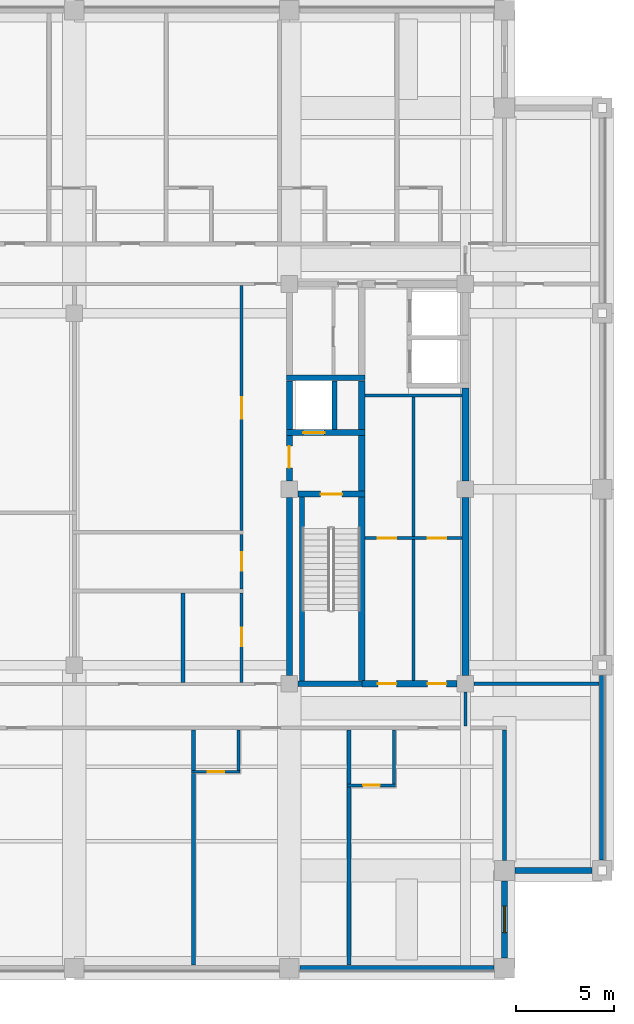
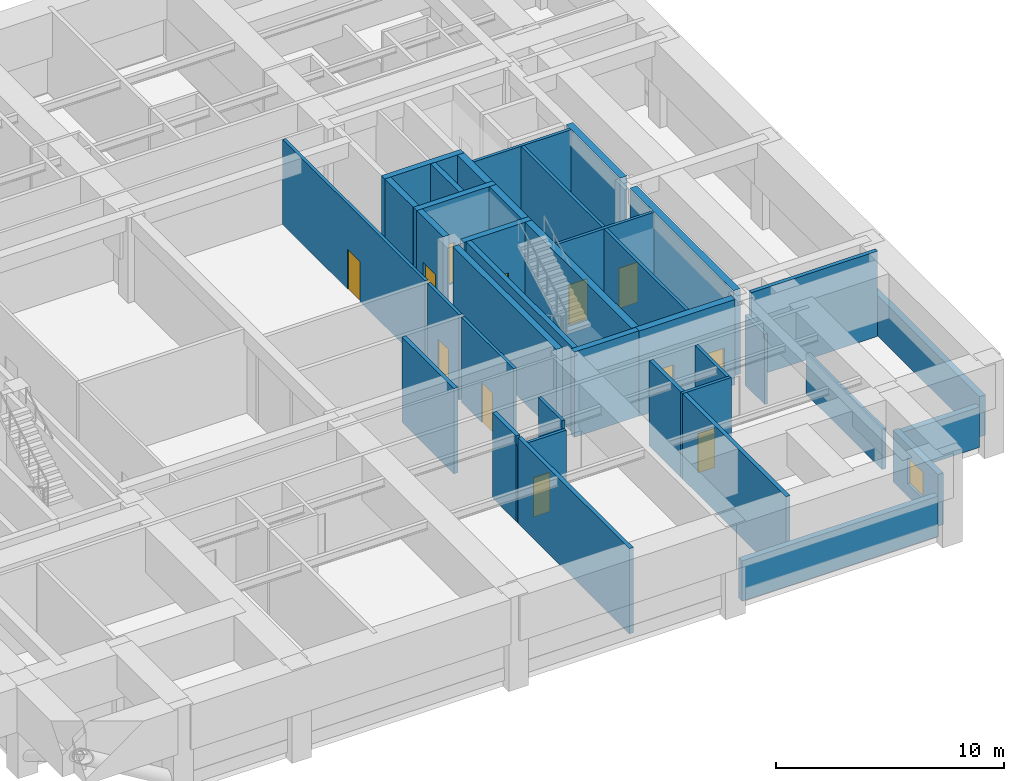
# One storey, part 4 of 11: 38 walls, 12 doors, 1 window, 13 openings.
"""IFC4 building model written with IfcOpenShell, lengths in metres."""

from ifc_helpers import new_model, si_unit, direction, frame, frame_2d, origin, place, context, subcontext, project, spatial, rectangle, extrude, material, layer, layer_set, type_object, element, fill, save


model = new_model("IFC4")

# Units and contexts
model_context = context("Model", 3, precision=1e-05, world=origin(), true_north=direction((0.0, 1.0)))
body_context = subcontext(model_context, "Body", "Model", "MODEL_VIEW")
ifc_project = project(units=[si_unit("LENGTHUNIT", "METRE"), si_unit("AREAUNIT", "SQUARE_METRE"), si_unit("VOLUMEUNIT", "CUBIC_METRE"), si_unit("PLANEANGLEUNIT", "RADIAN"), si_unit("MASSUNIT", "GRAM", prefix="KILO")], contexts=[model_context])

# Site, building, storey
site_placement = place(None, origin())
site = spatial("IfcSite", under=ifc_project, at=site_placement, CompositionType="ELEMENT")
building_placement = place(site_placement, origin())
building = spatial("IfcBuilding", under=site, at=building_placement, Name="Zulmaris Gate Convention Tower", CompositionType="ELEMENT")
storey_placement = place(building_placement, frame((0.0, 0.0, 186.4599609375)))
storey = spatial("IfcBuildingStorey", under=building, at=storey_placement, Name="L48", CompositionType="ELEMENT", Elevation=186.4599609375)

# Walls
ifc_material_1 = material(Name="Concrete C50/60", Category="concrete")
ifc_layer_1 = layer(ifc_material_1, 0.25, Name="Concrete C50/60")
ifc_layer_set_1 = layer_set([ifc_layer_1], Name="Concrete C50/60")
wall_type_1 = type_object("IfcWallType", Name="CORE-250", PredefinedType="SOLIDWALL", material=ifc_layer_set_1)
wall_1_placement = place(storey_placement, frame((11.64990234375, -9.798095703125, 0.0), z_axis=(0.0, 0.0, 1.0), x_axis=(0.0, 1.0, 0.0)))
element("IfcWall", 1, at=wall_1_placement, inside=storey, type_object=wall_type_1, Name="WL-L48-065", PredefinedType="SOLIDWALL", context=body_context, shape_type="SweptSolid", body=[
    extrude(rectangle(XDim=9.39599609375, YDim=0.25, at=frame_2d((4.697998046875, 0.0))), origin(), (0.0, 0.0, 1.0), 4.574951171875),
])
wall_2_placement = place(storey_placement, frame((13.300048828125, 3.052001953125, 0.0), z_axis=(0.0, 0.0, 1.0), x_axis=(0.0, 1.0, 0.0)))
element("IfcWall", 2, at=wall_2_placement, inside=storey, type_object=wall_type_1, Name="WL-L48-066", PredefinedType="SOLIDWALL", context=body_context, shape_type="SweptSolid", body=[
    extrude(rectangle(XDim=2.49609375, YDim=0.25, at=frame_2d((1.248046875, 0.0))), origin(), (0.0, 0.0, 1.0), 4.574951171875),
])
ifc_layer_2 = layer(ifc_material_1, 0.300048828125, Name="Concrete C50/60")
ifc_layer_set_2 = layer_set([ifc_layer_2], Name="Concrete C50/60")
wall_type_2 = type_object("IfcWallType", Name="CORE-300", PredefinedType="SHEAR", material=ifc_layer_set_2)
wall_3_placement = place(storey_placement, frame((11.428955078125, -9.949951171875, 0.0), z_axis=(0.0, 0.0, 1.0), x_axis=(1.0, 0.0, 0.0)))
element("IfcWall", 3, at=wall_3_placement, inside=storey, type_object=wall_type_2, Name="WL-L48-003", PredefinedType="SHEAR", context=body_context, shape_type="SweptSolid", body=[
    extrude(rectangle(XDim=3.27099609375, YDim=0.300048828125, at=frame_2d((1.635498046875, 0.0))), origin(), (0.0, 0.0, 1.0), 4.574951171875),
])

# Wall, opening, door
wall_4_placement = place(storey_placement, frame((11.428955078125, -0.25, 0.0), z_axis=(0.0, 0.0, 1.0), x_axis=(1.0, 0.0, 0.0)))
wall_4 = element("IfcWall", 4, at=wall_4_placement, inside=storey, type_object=wall_type_2, Name="WL-L48-006", PredefinedType="SHEAR", context=body_context, shape_type="SweptSolid", body=[
    extrude(rectangle(XDim=3.446044921875, YDim=0.300048828125, at=frame_2d((1.72314453125, 0.0))), origin(), (0.0, 0.0, 1.0), 4.574951171875),
])
opening_1_placement = place(wall_4_placement, frame((1.1708984375, 0.0, 0.0)))
opening_1 = element("IfcOpeningElement", 5, at=opening_1_placement, cuts=wall_4, Name="Opening D-08", PredefinedType="OPENING", context=body_context, shape_type="SweptSolid", body=[
    extrude(rectangle(XDim=1.10009765625, YDim=2.14990234375, at=frame_2d((0.550048828125, 1.074951171875))), frame((0.0, 0.16015625, 0.0), z_axis=(0.0, -1.0, 0.0), x_axis=(1.0, 0.0, 0.0)), (0.0, 0.0, 1.0), 0.320068359375),
])
ifc_material_2 = material(Name="Fire-Rated Steel", Category="steel")
door_type_1 = type_object("IfcDoorType", Name="DR-1100-FD", OperationType="NOTDEFINED", PredefinedType="DOOR", material=ifc_material_2)
door_1_placement = place(opening_1_placement, origin())
door_1 = element("IfcDoor", 6, at=door_1_placement, inside=storey, type_object=door_type_1, Name="L48 Exit Stair ST-2 Door 04", OperationType="SINGLE_SWING_LEFT", OverallHeight=2.14990234375, OverallWidth=1.10009765625, PredefinedType="DOOR", context=body_context, shape_type="SweptSolid", body=[
    extrude(rectangle(XDim=1.10009765625, YDim=2.14990234375, at=frame_2d((0.550048828125, 1.074951171875))), frame((0.0, 0.02490234375, 0.0), z_axis=(0.0, -1.0, 0.0), x_axis=(1.0, 0.0, 0.0)), (0.0, 0.0, 1.0), 0.050048828125),
])
fill(opening_1, door_1)

wall_5_placement = place(storey_placement, frame((10.85009765625, 2.89990234375, 0.0), z_axis=(0.0, 0.0, 1.0), x_axis=(1.0, 0.0, 0.0)))
wall_5 = element("IfcWall", 7, at=wall_5_placement, inside=storey, type_object=wall_type_2, Name="WL-L48-009", PredefinedType="SHEAR", context=body_context, shape_type="SweptSolid", body=[
    extrude(rectangle(XDim=4.02490234375, YDim=0.300048828125, at=frame_2d((2.012451171875, 0.0))), origin(), (0.0, 0.0, 1.0), 4.574951171875),
])
opening_2_placement = place(wall_5_placement, frame((0.85009765625, 0.0, 0.0)))
opening_2 = element("IfcOpeningElement", 8, at=opening_2_placement, cuts=wall_5, Name="Opening D-06", PredefinedType="OPENING", context=body_context, shape_type="SweptSolid", body=[
    extrude(rectangle(XDim=1.10009765625, YDim=2.199951171875, at=frame_2d((0.550048828125, 1.10009765625))), frame((0.0, 0.16015625, 0.0), z_axis=(0.0, -1.0, 0.0), x_axis=(1.0, 0.0, 0.0)), (0.0, 0.0, 1.0), 0.320068359375),
])
ifc_material_3 = material(Name="Brushed Stainless Steel", Category="steel")
door_type_2 = type_object("IfcDoorType", Name="LD-1100", OperationType="NOTDEFINED", PredefinedType="DOOR", material=ifc_material_3)
door_2_placement = place(opening_2_placement, origin())
door_2 = element("IfcDoor", 9, at=door_2_placement, inside=storey, type_object=door_type_2, Name="L48 Lift Landing Door LF-02 06", OperationType="SLIDING_TO_RIGHT", OverallHeight=2.199951171875, OverallWidth=1.10009765625, PredefinedType="DOOR", context=body_context, shape_type="SweptSolid", body=[
    extrude(rectangle(XDim=1.10009765625, YDim=2.199951171875, at=frame_2d((0.550048828125, 1.10009765625))), frame((0.0, 0.02490234375, 0.0), z_axis=(0.0, -1.0, 0.0), x_axis=(1.0, 0.0, 0.0)), (0.0, 0.0, 1.0), 0.050048828125),
])
fill(opening_2, door_2)

# Walls
wall_6_placement = place(storey_placement, frame((10.85009765625, 5.699951171875, 0.0), z_axis=(0.0, 0.0, 1.0), x_axis=(1.0, 0.0, 0.0)))
element("IfcWall", 10, at=wall_6_placement, inside=storey, type_object=wall_type_2, Name="WL-L48-013", PredefinedType="SHEAR", context=body_context, shape_type="SweptSolid", body=[
    extrude(rectangle(XDim=4.02490234375, YDim=0.300048828125, at=frame_2d((2.012451171875, 0.0))), origin(), (0.0, 0.0, 1.0), 4.574951171875),
])
wall_7_placement = place(storey_placement, frame((11.0, -9.52099609375, 0.0), z_axis=(0.0, 0.0, 1.0), x_axis=(0.0, 1.0, 0.0)))
element("IfcWall", 11, at=wall_7_placement, inside=storey, type_object=wall_type_2, Name="WL-L48-061", PredefinedType="SHEAR", context=body_context, shape_type="SweptSolid", body=[
    extrude(rectangle(XDim=9.092041015625, YDim=0.300048828125, at=frame_2d((4.5458984375, 0.0))), origin(), (0.0, 0.0, 1.0), 4.574951171875),
])

# Wall, opening, door
wall_8_placement = place(storey_placement, frame((11.0, 0.428955078125, 0.0), z_axis=(0.0, 0.0, 1.0), x_axis=(0.0, 1.0, 0.0)))
wall_8 = element("IfcWall", 12, at=wall_8_placement, inside=storey, type_object=wall_type_2, Name="WL-L48-062", PredefinedType="SHEAR", context=body_context, shape_type="SweptSolid", body=[
    extrude(rectangle(XDim=2.319091796875, YDim=0.300048828125, at=frame_2d((1.15966796875, 0.0))), origin(), (0.0, 0.0, 1.0), 4.574951171875),
])
opening_3_placement = place(wall_8_placement, frame((0.6708984375, 0.0, 0.0)))
opening_3 = element("IfcOpeningElement", 13, at=opening_3_placement, cuts=wall_8, Name="Opening D-08", PredefinedType="OPENING", context=body_context, shape_type="SweptSolid", body=[
    extrude(rectangle(XDim=1.10009765625, YDim=2.14990234375, at=frame_2d((0.550048828125, 1.074951171875))), frame((0.0, 0.16015625, 0.0), z_axis=(0.0, -1.0, 0.0), x_axis=(1.0, 0.0, 0.0)), (0.0, 0.0, 1.0), 0.320068359375),
])
door_3_placement = place(opening_3_placement, origin())
door_3 = element("IfcDoor", 14, at=door_3_placement, inside=storey, type_object=door_type_1, Name="L48 East Firefighting Lobby Door 05", OperationType="SINGLE_SWING_RIGHT", OverallHeight=2.14990234375, OverallWidth=1.10009765625, PredefinedType="DOOR", context=body_context, shape_type="SweptSolid", body=[
    extrude(rectangle(XDim=1.10009765625, YDim=2.14990234375, at=frame_2d((0.550048828125, 1.074951171875))), frame((0.0, 0.02490234375, 0.0), z_axis=(0.0, -1.0, 0.0), x_axis=(1.0, 0.0, 0.0)), (0.0, 0.0, 1.0), 0.050048828125),
])
fill(opening_3, door_3)

# Wall
wall_9_placement = place(storey_placement, frame((11.0, 3.052001953125, 0.0), z_axis=(0.0, 0.0, 1.0), x_axis=(0.0, 1.0, 0.0)))
element("IfcWall", 15, at=wall_9_placement, inside=storey, type_object=wall_type_2, Name="WL-L48-063", PredefinedType="SHEAR", context=body_context, shape_type="SweptSolid", body=[
    extrude(rectangle(XDim=2.49609375, YDim=0.300048828125, at=frame_2d((1.248046875, 0.0))), origin(), (0.0, 0.0, 1.0), 4.574951171875),
])

# Wall, openings, doors
ifc_material_4 = material(Name="Concrete C55/67", Category="concrete")
ifc_layer_3 = layer(ifc_material_4, 0.35009765625, Name="Concrete C55/67")
ifc_layer_set_3 = layer_set([ifc_layer_3], Name="Concrete C55/67")
wall_type_3 = type_object("IfcWallType", Name="CORE-350", PredefinedType="SHEAR", material=ifc_layer_set_3)
wall_10_placement = place(storey_placement, frame((14.699951171875, -9.949951171875, 0.0), z_axis=(0.0, 0.0, 1.0), x_axis=(1.0, 0.0, 0.0)))
wall_10 = element("IfcWall", 16, at=wall_10_placement, inside=storey, type_object=wall_type_3, Name="WL-L48-004", PredefinedType="SHEAR", context=body_context, shape_type="SweptSolid", body=[
    extrude(rectangle(XDim=4.87109375, YDim=0.35009765625, at=frame_2d((2.435546875, 0.0))), origin(), (0.0, 0.0, 1.0), 4.574951171875),
])
opening_4_placement = place(wall_10_placement, frame((0.824951171875, 0.0, 0.0)))
opening_4 = element("IfcOpeningElement", 17, at=opening_4_placement, cuts=wall_10, Name="Opening D-11", PredefinedType="OPENING", context=body_context, shape_type="SweptSolid", body=[
    extrude(rectangle(XDim=0.949951171875, YDim=2.14990234375, at=frame_2d((0.47509765625, 1.074951171875))), frame((0.0, 0.18505859375, 0.0), z_axis=(0.0, -1.0, 0.0), x_axis=(1.0, 0.0, 0.0)), (0.0, 0.0, 1.0), 0.3701171875),
])
opening_5_placement = place(wall_10_placement, frame((3.375, 0.0, 0.0)))
opening_5 = element("IfcOpeningElement", 18, at=opening_5_placement, cuts=wall_10, Name="Opening D-11", PredefinedType="OPENING", context=body_context, shape_type="SweptSolid", body=[
    extrude(rectangle(XDim=0.949951171875, YDim=2.14990234375, at=frame_2d((0.47509765625, 1.074951171875))), frame((0.0, 0.18505859375, 0.0), z_axis=(0.0, -1.0, 0.0), x_axis=(1.0, 0.0, 0.0)), (0.0, 0.0, 1.0), 0.3701171875),
])
ifc_material_5 = material(Name="Fire-Rated Timber", Category="wood")
door_type_3 = type_object("IfcDoorType", Name="DR-950-FD", OperationType="NOTDEFINED", PredefinedType="DOOR", material=ifc_material_5)
door_4_placement = place(opening_4_placement, origin())
door_4 = element("IfcDoor", 19, at=door_4_placement, inside=storey, type_object=door_type_3, Name="L48 Staff WC Door 20", OperationType="SINGLE_SWING_RIGHT", OverallHeight=2.14990234375, OverallWidth=0.949951171875, PredefinedType="DOOR", context=body_context, shape_type="SweptSolid", body=[
    extrude(rectangle(XDim=0.949951171875, YDim=2.14990234375, at=frame_2d((0.47509765625, 1.074951171875))), frame((0.0, 0.02490234375, 0.0), z_axis=(0.0, -1.0, 0.0), x_axis=(1.0, 0.0, 0.0)), (0.0, 0.0, 1.0), 0.050048828125),
])
fill(opening_4, door_4)
door_5_placement = place(opening_5_placement, origin())
door_5 = element("IfcDoor", 20, at=door_5_placement, inside=storey, type_object=door_type_3, Name="L48 Vending Room Door 22", OperationType="SINGLE_SWING_RIGHT", OverallHeight=2.14990234375, OverallWidth=0.949951171875, PredefinedType="DOOR", context=body_context, shape_type="SweptSolid", body=[
    extrude(rectangle(XDim=0.949951171875, YDim=2.14990234375, at=frame_2d((0.47509765625, 1.074951171875))), frame((0.0, 0.02490234375, 0.0), z_axis=(0.0, -1.0, 0.0), x_axis=(1.0, 0.0, 0.0)), (0.0, 0.0, 1.0), 0.050048828125),
])
fill(opening_5, door_5)

# Walls
wall_11_placement = place(storey_placement, frame((14.699951171875, -9.77294921875, 0.0), z_axis=(0.0, 0.0, 1.0), x_axis=(0.0, 1.0, 0.0)))
element("IfcWall", 21, at=wall_11_placement, inside=storey, type_object=wall_type_3, Name="WL-L48-067", PredefinedType="SHEAR", context=body_context, shape_type="SweptSolid", body=[
    extrude(rectangle(XDim=9.370849609375, YDim=0.35009765625, at=frame_2d((4.685546875, 0.0))), origin(), (0.0, 0.0, 1.0), 4.574951171875),
])
wall_12_placement = place(storey_placement, frame((14.699951171875, -0.097900390625, 0.0), z_axis=(0.0, 0.0, 1.0), x_axis=(0.0, 1.0, 0.0)))
element("IfcWall", 22, at=wall_12_placement, inside=storey, type_object=wall_type_3, Name="WL-L48-068", PredefinedType="SHEAR", context=body_context, shape_type="SweptSolid", body=[
    extrude(rectangle(XDim=2.845947265625, YDim=0.35009765625, at=frame_2d((1.4228515625, 0.0))), origin(), (0.0, 0.0, 1.0), 4.574951171875),
])
wall_13_placement = place(storey_placement, frame((14.699951171875, 3.052001953125, 0.0), z_axis=(0.0, 0.0, 1.0), x_axis=(0.0, 1.0, 0.0)))
element("IfcWall", 23, at=wall_13_placement, inside=storey, type_object=wall_type_3, Name="WL-L48-069", PredefinedType="SHEAR", context=body_context, shape_type="SweptSolid", body=[
    extrude(rectangle(XDim=2.49609375, YDim=0.35009765625, at=frame_2d((1.248046875, 0.0))), origin(), (0.0, 0.0, 1.0), 4.574951171875),
])
wall_14_placement = place(storey_placement, frame((20.0, -9.52099609375, 0.0), z_axis=(0.0, 0.0, 1.0), x_axis=(0.0, 1.0, 0.0)))
element("IfcWall", 24, at=wall_14_placement, inside=storey, type_object=wall_type_3, Name="WL-L48-073", PredefinedType="SHEAR", context=body_context, shape_type="SweptSolid", body=[
    extrude(rectangle(XDim=9.092041015625, YDim=0.35009765625, at=frame_2d((4.5458984375, 0.0))), origin(), (0.0, 0.0, 1.0), 4.574951171875),
])
wall_15_placement = place(storey_placement, frame((20.0, 0.428955078125, 0.0), z_axis=(0.0, 0.0, 1.0), x_axis=(0.0, 1.0, 0.0)))
element("IfcWall", 25, at=wall_15_placement, inside=storey, type_object=wall_type_3, Name="WL-L48-073S1", PredefinedType="SHEAR", context=body_context, shape_type="SweptSolid", body=[
    extrude(rectangle(XDim=4.744140625, YDim=0.35009765625, at=frame_2d((2.3720703125, 0.0))), origin(), (0.0, 0.0, 1.0), 4.574951171875),
])

# Wall, opening, door
ifc_material_6 = material(Name="Gypsum Metal Stud Partition")
ifc_layer_4 = layer(ifc_material_6, 0.14990234375, Name="Gypsum Metal Stud Partition")
ifc_layer_set_4 = layer_set([ifc_layer_4], Name="Gypsum Metal Stud Partition")
wall_type_4 = type_object("IfcWallType", Name="PART-150", PredefinedType="PARTITIONING", material=ifc_layer_set_4)
wall_16_placement = place(storey_placement, frame((13.949951171875, -15.14990234375, 0.0), z_axis=(0.0, 0.0, 1.0), x_axis=(1.0, 0.0, 0.0)))
wall_16 = element("IfcWall", 26, at=wall_16_placement, inside=storey, type_object=wall_type_4, Name="WL-L48-020", PredefinedType="PARTITIONING", context=body_context, shape_type="SweptSolid", body=[
    extrude(rectangle(XDim=2.47509765625, YDim=0.14990234375, at=frame_2d((1.237548828125, 0.0))), origin(), (0.0, 0.0, 1.0), 4.574951171875),
])
opening_6_placement = place(wall_16_placement, frame((0.824951171875, 0.0, 0.0)))
opening_6 = element("IfcOpeningElement", 27, at=opening_6_placement, cuts=wall_16, Name="Opening D-17", PredefinedType="OPENING", context=body_context, shape_type="SweptSolid", body=[
    extrude(rectangle(XDim=0.85009765625, YDim=2.10009765625, at=frame_2d((0.425048828125, 1.050048828125))), frame((0.0, 0.0849609375, 0.0), z_axis=(0.0, -1.0, 0.0), x_axis=(1.0, 0.0, 0.0)), (0.0, 0.0, 1.0), 0.169921875),
])
ifc_material_7 = material(Name="Moisture-Resistant Hardwood Timber", Category="wood")
door_type_4 = type_object("IfcDoorType", Name="DR-850", OperationType="NOTDEFINED", PredefinedType="DOOR", material=ifc_material_7)
door_6_placement = place(opening_6_placement, origin())
door_6 = element("IfcDoor", 28, at=door_6_placement, inside=storey, type_object=door_type_4, Name="L48 En-Suite Door 46", OperationType="SINGLE_SWING_RIGHT", OverallHeight=2.10009765625, OverallWidth=0.85009765625, PredefinedType="DOOR", context=body_context, shape_type="SweptSolid", body=[
    extrude(rectangle(XDim=0.85009765625, YDim=2.10009765625, at=frame_2d((0.425048828125, 1.050048828125))), frame((0.0, 0.02490234375, 0.0), z_axis=(0.0, -1.0, 0.0), x_axis=(1.0, 0.0, 0.0)), (0.0, 0.0, 1.0), 0.050048828125),
])
fill(opening_6, door_6)

wall_17_placement = place(storey_placement, frame((6.0, -14.449951171875, 0.0), z_axis=(0.0, 0.0, 1.0), x_axis=(1.0, 0.0, 0.0)))
wall_17 = element("IfcWall", 29, at=wall_17_placement, inside=storey, type_object=wall_type_4, Name="WL-L48-021", PredefinedType="PARTITIONING", context=body_context, shape_type="SweptSolid", body=[
    extrude(rectangle(XDim=2.47509765625, YDim=0.14990234375, at=frame_2d((1.237548828125, 0.0))), origin(), (0.0, 0.0, 1.0), 4.114990234375),
])
opening_7_placement = place(wall_17_placement, frame((0.824951171875, 0.0, 0.0)))
opening_7 = element("IfcOpeningElement", 30, at=opening_7_placement, cuts=wall_17, Name="Opening D-17", PredefinedType="OPENING", context=body_context, shape_type="SweptSolid", body=[
    extrude(rectangle(XDim=0.85009765625, YDim=2.10009765625, at=frame_2d((0.425048828125, 1.050048828125))), frame((0.0, 0.0849609375, 0.0), z_axis=(0.0, -1.0, 0.0), x_axis=(1.0, 0.0, 0.0)), (0.0, 0.0, 1.0), 0.169921875),
])
door_7_placement = place(opening_7_placement, origin())
door_7 = element("IfcDoor", 31, at=door_7_placement, inside=storey, type_object=door_type_4, Name="L48 En-Suite Door 44", OperationType="SINGLE_SWING_RIGHT", OverallHeight=2.10009765625, OverallWidth=0.85009765625, PredefinedType="DOOR", context=body_context, shape_type="SweptSolid", body=[
    extrude(rectangle(XDim=0.85009765625, YDim=2.10009765625, at=frame_2d((0.425048828125, 1.050048828125))), frame((0.0, 0.02490234375, 0.0), z_axis=(0.0, -1.0, 0.0), x_axis=(1.0, 0.0, 0.0)), (0.0, 0.0, 1.0), 0.050048828125),
])
fill(opening_7, door_7)

# Wall, openings, doors
wall_18_placement = place(storey_placement, frame((14.8779296875, -2.5, 0.0), z_axis=(0.0, 0.0, 1.0), x_axis=(1.0, 0.0, 0.0)))
wall_18 = element("IfcWall", 32, at=wall_18_placement, inside=storey, type_object=wall_type_4, Name="WL-L48-027", PredefinedType="PARTITIONING", context=body_context, shape_type="SweptSolid", body=[
    extrude(rectangle(XDim=4.944091796875, YDim=0.14990234375, at=frame_2d((2.47216796875, 0.0))), origin(), (0.0, 0.0, 1.0), 4.574951171875),
])
opening_8_placement = place(wall_18_placement, frame((0.64697265625, 0.0, 0.0)))
opening_8 = element("IfcOpeningElement", 33, at=opening_8_placement, cuts=wall_18, Name="Opening D-11", PredefinedType="OPENING", context=body_context, shape_type="SweptSolid", body=[
    extrude(rectangle(XDim=0.949951171875, YDim=2.14990234375, at=frame_2d((0.47509765625, 1.074951171875))), frame((0.0, 0.0849609375, 0.0), z_axis=(0.0, -1.0, 0.0), x_axis=(1.0, 0.0, 0.0)), (0.0, 0.0, 1.0), 0.169921875),
])
opening_9_placement = place(wall_18_placement, frame((3.197021484375, 0.0, 0.0)))
opening_9 = element("IfcOpeningElement", 34, at=opening_9_placement, cuts=wall_18, Name="Opening D-11", PredefinedType="OPENING", context=body_context, shape_type="SweptSolid", body=[
    extrude(rectangle(XDim=0.949951171875, YDim=2.14990234375, at=frame_2d((0.47509765625, 1.074951171875))), frame((0.0, 0.0849609375, 0.0), z_axis=(0.0, -1.0, 0.0), x_axis=(1.0, 0.0, 0.0)), (0.0, 0.0, 1.0), 0.169921875),
])
door_8_placement = place(opening_8_placement, origin())
door_8 = element("IfcDoor", 35, at=door_8_placement, inside=storey, type_object=door_type_3, Name="L48 Locker Store Door 21", OperationType="SINGLE_SWING_LEFT", OverallHeight=2.14990234375, OverallWidth=0.949951171875, PredefinedType="DOOR", context=body_context, shape_type="SweptSolid", body=[
    extrude(rectangle(XDim=0.949951171875, YDim=2.14990234375, at=frame_2d((0.47509765625, 1.074951171875))), frame((0.0, 0.02490234375, 0.0), z_axis=(0.0, -1.0, 0.0), x_axis=(1.0, 0.0, 0.0)), (0.0, 0.0, 1.0), 0.050048828125),
])
fill(opening_8, door_8)
door_9_placement = place(opening_9_placement, origin())
door_9 = element("IfcDoor", 36, at=door_9_placement, inside=storey, type_object=door_type_3, Name="L48 Ice Store Door 23", OperationType="SINGLE_SWING_LEFT", OverallHeight=2.14990234375, OverallWidth=0.949951171875, PredefinedType="DOOR", context=body_context, shape_type="SweptSolid", body=[
    extrude(rectangle(XDim=0.949951171875, YDim=2.14990234375, at=frame_2d((0.47509765625, 1.074951171875))), frame((0.0, 0.02490234375, 0.0), z_axis=(0.0, -1.0, 0.0), x_axis=(1.0, 0.0, 0.0)), (0.0, 0.0, 1.0), 0.050048828125),
])
fill(opening_9, door_9)

# Walls
wall_19_placement = place(storey_placement, frame((14.8779296875, 4.800048828125, 0.0), z_axis=(0.0, 0.0, 1.0), x_axis=(1.0, 0.0, 0.0)))
element("IfcWall", 37, at=wall_19_placement, inside=storey, type_object=wall_type_4, Name="WL-L48-030", PredefinedType="PARTITIONING", context=body_context, shape_type="SweptSolid", body=[
    extrude(rectangle(XDim=4.944091796875, YDim=0.14990234375, at=frame_2d((2.47216796875, 0.0))), origin(), (0.0, 0.0, 1.0), 4.574951171875),
])
wall_20_placement = place(storey_placement, frame((8.39990234375, -14.3720703125, 0.0), z_axis=(0.0, 0.0, 1.0), x_axis=(0.0, 1.0, 0.0)))
element("IfcWall", 38, at=wall_20_placement, inside=storey, type_object=wall_type_4, Name="WL-L48-106", PredefinedType="PARTITIONING", context=body_context, shape_type="SweptSolid", body=[
    extrude(rectangle(XDim=2.069091796875, YDim=0.14990234375, at=frame_2d((1.03466796875, 0.0))), origin(), (0.0, 0.0, 1.0), 4.574951171875),
])

# Wall, opening, door
wall_21_placement = place(storey_placement, frame((8.550048828125, -9.8720703125, 0.0), z_axis=(0.0, 0.0, 1.0), x_axis=(0.0, 1.0, 0.0)))
wall_21 = element("IfcWall", 39, at=wall_21_placement, inside=storey, type_object=wall_type_4, Name="WL-L48-107", PredefinedType="PARTITIONING", context=body_context, shape_type="SweptSolid", body=[
    extrude(rectangle(XDim=4.569091796875, YDim=0.14990234375, at=frame_2d((2.28466796875, 0.0))), origin(), (0.0, 0.0, 1.0), 4.574951171875),
])
opening_10_placement = place(wall_21_placement, frame((1.846923828125, 0.0, 0.0)))
opening_10 = element("IfcOpeningElement", 40, at=opening_10_placement, cuts=wall_21, Name="Opening D-11", PredefinedType="OPENING", context=body_context, shape_type="SweptSolid", body=[
    extrude(rectangle(XDim=0.949951171875, YDim=2.14990234375, at=frame_2d((0.47509765625, 1.074951171875))), frame((0.0, 0.0849609375, 0.0), z_axis=(0.0, -1.0, 0.0), x_axis=(1.0, 0.0, 0.0)), (0.0, 0.0, 1.0), 0.169921875),
])
door_10_placement = place(opening_10_placement, origin())
door_10 = element("IfcDoor", 41, at=door_10_placement, inside=storey, type_object=door_type_3, Name="L48 Accessible WC Door 51", OperationType="SINGLE_SWING_LEFT", OverallHeight=2.14990234375, OverallWidth=0.949951171875, PredefinedType="DOOR", context=body_context, shape_type="SweptSolid", body=[
    extrude(rectangle(XDim=0.949951171875, YDim=2.14990234375, at=frame_2d((0.47509765625, 1.074951171875))), frame((0.0, 0.02490234375, 0.0), z_axis=(0.0, -1.0, 0.0), x_axis=(1.0, 0.0, 0.0)), (0.0, 0.0, 1.0), 0.050048828125),
])
fill(opening_10, door_10)

wall_22_placement = place(storey_placement, frame((8.550048828125, -5.096923828125, 0.0), z_axis=(0.0, 0.0, 1.0), x_axis=(0.0, 1.0, 0.0)))
wall_22 = element("IfcWall", 42, at=wall_22_placement, inside=storey, type_object=wall_type_4, Name="WL-L48-108", PredefinedType="PARTITIONING", context=body_context, shape_type="SweptSolid", body=[
    extrude(rectangle(XDim=2.7939453125, YDim=0.14990234375, at=frame_2d((1.39697265625, 0.0))), origin(), (0.0, 0.0, 1.0), 4.574951171875),
])
opening_11_placement = place(wall_22_placement, frame((0.922119140625, 0.0, 0.0)))
opening_11 = element("IfcOpeningElement", 43, at=opening_11_placement, cuts=wall_22, Name="Opening D-11", PredefinedType="OPENING", context=body_context, shape_type="SweptSolid", body=[
    extrude(rectangle(XDim=0.949951171875, YDim=2.14990234375, at=frame_2d((0.47509765625, 1.074951171875))), frame((0.0, 0.0849609375, 0.0), z_axis=(0.0, -1.0, 0.0), x_axis=(1.0, 0.0, 0.0)), (0.0, 0.0, 1.0), 0.169921875),
])
door_11_placement = place(opening_11_placement, origin())
door_11 = element("IfcDoor", 44, at=door_11_placement, inside=storey, type_object=door_type_3, Name="L48 Public WC Door 50", OperationType="SINGLE_SWING_RIGHT", OverallHeight=2.14990234375, OverallWidth=0.949951171875, PredefinedType="DOOR", context=body_context, shape_type="SweptSolid", body=[
    extrude(rectangle(XDim=0.949951171875, YDim=2.14990234375, at=frame_2d((0.47509765625, 1.074951171875))), frame((0.0, 0.02490234375, 0.0), z_axis=(0.0, -1.0, 0.0), x_axis=(1.0, 0.0, 0.0)), (0.0, 0.0, 1.0), 0.050048828125),
])
fill(opening_11, door_11)

wall_23_placement = place(storey_placement, frame((8.550048828125, -2.096923828125, 0.0), z_axis=(0.0, 0.0, 1.0), x_axis=(0.0, 1.0, 0.0)))
wall_23 = element("IfcWall", 45, at=wall_23_placement, inside=storey, type_object=wall_type_4, Name="WL-L48-109", PredefinedType="PARTITIONING", context=body_context, shape_type="SweptSolid", body=[
    extrude(rectangle(XDim=12.51904296875, YDim=0.14990234375, at=frame_2d((6.259521484375, 0.0))), origin(), (0.0, 0.0, 1.0), 4.574951171875),
])
opening_12_placement = place(wall_23_placement, frame((5.697021484375, 0.0, 0.0)))
opening_12 = element("IfcOpeningElement", 46, at=opening_12_placement, cuts=wall_23, Name="Opening D-08", PredefinedType="OPENING", context=body_context, shape_type="SweptSolid", body=[
    extrude(rectangle(XDim=1.10009765625, YDim=2.14990234375, at=frame_2d((0.550048828125, 1.074951171875))), frame((0.0, 0.0849609375, 0.0), z_axis=(0.0, -1.0, 0.0), x_axis=(1.0, 0.0, 0.0)), (0.0, 0.0, 1.0), 0.169921875),
])
door_12_placement = place(opening_12_placement, origin())
door_12 = element("IfcDoor", 47, at=door_12_placement, inside=storey, type_object=door_type_1, Name="L48 Breakout Room Door 49", OperationType="SINGLE_SWING_LEFT", OverallHeight=2.14990234375, OverallWidth=1.10009765625, PredefinedType="DOOR", context=body_context, shape_type="SweptSolid", body=[
    extrude(rectangle(XDim=1.10009765625, YDim=2.14990234375, at=frame_2d((0.550048828125, 1.074951171875))), frame((0.0, 0.02490234375, 0.0), z_axis=(0.0, -1.0, 0.0), x_axis=(1.0, 0.0, 0.0)), (0.0, 0.0, 1.0), 0.050048828125),
])
fill(opening_12, door_12)

# Walls
wall_24_placement = place(storey_placement, frame((16.35009765625, -15.072021484375, 0.0), z_axis=(0.0, 0.0, 1.0), x_axis=(0.0, 1.0, 0.0)))
element("IfcWall", 48, at=wall_24_placement, inside=storey, type_object=wall_type_4, Name="WL-L48-116", PredefinedType="PARTITIONING", context=body_context, shape_type="SweptSolid", body=[
    extrude(rectangle(XDim=2.76904296875, YDim=0.14990234375, at=frame_2d((1.384521484375, 0.0))), origin(), (0.0, 0.0, 1.0), 4.574951171875),
])
wall_25_placement = place(storey_placement, frame((17.35009765625, -9.77197265625, 0.0), z_axis=(0.0, 0.0, 1.0), x_axis=(0.0, 1.0, 0.0)))
element("IfcWall", 49, at=wall_25_placement, inside=storey, type_object=wall_type_4, Name="WL-L48-119", PredefinedType="PARTITIONING", context=body_context, shape_type="SweptSolid", body=[
    extrude(rectangle(XDim=7.194091796875, YDim=0.14990234375, at=frame_2d((3.59716796875, 0.0))), origin(), (0.0, 0.0, 1.0), 4.574951171875),
])
wall_26_placement = place(storey_placement, frame((17.35009765625, -2.422119140625, 0.0), z_axis=(0.0, 0.0, 1.0), x_axis=(0.0, 1.0, 0.0)))
element("IfcWall", 50, at=wall_26_placement, inside=storey, type_object=wall_type_4, Name="WL-L48-120", PredefinedType="PARTITIONING", context=body_context, shape_type="SweptSolid", body=[
    extrude(rectangle(XDim=7.14404296875, YDim=0.14990234375, at=frame_2d((3.572021484375, 0.0))), origin(), (0.0, 0.0, 1.0), 4.574951171875),
])
wall_27_placement = place(storey_placement, frame((20.0, -12.096923828125, 0.0), z_axis=(0.0, 0.0, 1.0), x_axis=(0.0, 1.0, 0.0)))
element("IfcWall", 51, at=wall_27_placement, inside=storey, type_object=wall_type_4, Name="WL-L48-122", PredefinedType="PARTITIONING", context=body_context, shape_type="SweptSolid", body=[
    extrude(rectangle(XDim=1.7158203125, YDim=0.14990234375, at=frame_2d((0.85791015625, 0.0))), origin(), (0.0, 0.0, 1.0), 3.76708984375),
])
ifc_material_8 = material(Name="Autoclaved Aerated Concrete Block and Plasterboard", Category="concrete")
ifc_layer_5 = layer(ifc_material_8, 0.199951171875, Name="Autoclaved Aerated Concrete Block and Plasterboard")
ifc_layer_set_5 = layer_set([ifc_layer_5], Name="Autoclaved Aerated Concrete Block and Plasterboard")
wall_type_5 = type_object("IfcWallType", Name="PART-200", PredefinedType="PARTITIONING", material=ifc_layer_set_5)
wall_28_placement = place(storey_placement, frame((20.430908203125, -9.949951171875, 0.0), z_axis=(0.0, 0.0, 1.0), x_axis=(1.0, 0.0, 0.0)))
element("IfcWall", 52, at=wall_28_placement, inside=storey, type_object=wall_type_5, Name="WL-L48-025", PredefinedType="PARTITIONING", context=body_context, shape_type="SweptSolid", body=[
    extrude(rectangle(XDim=6.404052734375, YDim=0.199951171875, at=frame_2d((3.2021484375, 0.0))), origin(), (0.0, 0.0, 1.0), 4.574951171875),
])
wall_29_placement = place(storey_placement, frame((5.550048828125, -9.8720703125, 0.0), z_axis=(0.0, 0.0, 1.0), x_axis=(0.0, 1.0, 0.0)))
element("IfcWall", 53, at=wall_29_placement, inside=storey, type_object=wall_type_5, Name="WL-L48-102", PredefinedType="PARTITIONING", context=body_context, shape_type="SweptSolid", body=[
    extrude(rectangle(XDim=4.569091796875, YDim=0.199951171875, at=frame_2d((2.28466796875, 0.0))), origin(), (0.0, 0.0, 1.0), 4.574951171875),
])
wall_30_placement = place(storey_placement, frame((6.10009765625, -24.3349609375, 0.0), z_axis=(0.0, 0.0, 1.0), x_axis=(0.0, 1.0, 0.0)))
element("IfcWall", 54, at=wall_30_placement, inside=storey, type_object=wall_type_5, Name="WL-L48-103", PredefinedType="PARTITIONING", context=body_context, shape_type="SweptSolid", body=[
    extrude(rectangle(XDim=9.806884765625, YDim=0.199951171875, at=frame_2d((4.9033203125, 0.0))), origin(), (0.0, 0.0, 1.0), 4.574951171875),
])
wall_31_placement = place(storey_placement, frame((6.10009765625, -14.3720703125, 0.0), z_axis=(0.0, 0.0, 1.0), x_axis=(0.0, 1.0, 0.0)))
element("IfcWall", 55, at=wall_31_placement, inside=storey, type_object=wall_type_5, Name="WL-L48-104", PredefinedType="PARTITIONING", context=body_context, shape_type="SweptSolid", body=[
    extrude(rectangle(XDim=2.069091796875, YDim=0.199951171875, at=frame_2d((1.03466796875, 0.0))), origin(), (0.0, 0.0, 1.0), 4.574951171875),
])
wall_32_placement = place(storey_placement, frame((14.050048828125, -24.3349609375, 0.0), z_axis=(0.0, 0.0, 1.0), x_axis=(0.0, 1.0, 0.0)))
element("IfcWall", 56, at=wall_32_placement, inside=storey, type_object=wall_type_5, Name="WL-L48-114", PredefinedType="PARTITIONING", context=body_context, shape_type="SweptSolid", body=[
    extrude(rectangle(XDim=9.10693359375, YDim=0.199951171875, at=frame_2d((4.553466796875, 0.0))), origin(), (0.0, 0.0, 1.0), 4.574951171875),
])
wall_33_placement = place(storey_placement, frame((14.050048828125, -15.072021484375, 0.0), z_axis=(0.0, 0.0, 1.0), x_axis=(0.0, 1.0, 0.0)))
element("IfcWall", 57, at=wall_33_placement, inside=storey, type_object=wall_type_5, Name="WL-L48-115", PredefinedType="PARTITIONING", context=body_context, shape_type="SweptSolid", body=[
    extrude(rectangle(XDim=2.76904296875, YDim=0.199951171875, at=frame_2d((1.384521484375, 0.0))), origin(), (0.0, 0.0, 1.0), 4.574951171875),
])
wall_34_placement = place(storey_placement, frame((22.0, -18.993896484375, 0.0), z_axis=(0.0, 0.0, 1.0), x_axis=(0.0, 1.0, 0.0)))
element("IfcWall", 58, at=wall_34_placement, inside=storey, type_object=wall_type_5, Name="WL-L48-124", PredefinedType="PARTITIONING", context=body_context, shape_type="SweptSolid", body=[
    extrude(rectangle(XDim=6.69091796875, YDim=0.199951171875, at=frame_2d((3.345458984375, 0.0))), origin(), (0.0, 0.0, 1.0), 2.1669921875),
])

# Wall, opening, window
ifc_material_9 = material(Name="Precast concrete C40/50", Category="concrete")
ifc_layer_6 = layer(ifc_material_9, 0.300048828125, Name="Precast concrete C40/50")
ifc_layer_set_6 = layer_set([ifc_layer_6], Name="Precast concrete C40/50")
wall_type_6 = type_object("IfcWallType", Name="PRECAST-PIER-300", PredefinedType="STANDARD", material=ifc_layer_set_6)
wall_35_placement = place(storey_placement, frame((22.0, -23.969970703125, 0.0), z_axis=(0.0, 0.0, 1.0), x_axis=(0.0, 1.0, 0.0)))
wall_35 = element("IfcWall", 59, at=wall_35_placement, inside=storey, type_object=wall_type_6, Name="EW-L48-NOTCH-SE1_0", PredefinedType="STANDARD", context=body_context, shape_type="SweptSolid", body=[
    extrude(rectangle(XDim=3.93994140625, YDim=0.300048828125, at=frame_2d((1.969970703125, 0.0))), origin(), (0.0, 0.0, 1.0), 2.76708984375),
])
opening_13_placement = place(wall_35_placement, frame((1.294921875, 0.0, 0.679931640625)))
opening_13 = element("IfcOpeningElement", 60, at=opening_13_placement, cuts=wall_35, Name="Opening W-10", PredefinedType="OPENING", context=body_context, shape_type="SweptSolid", body=[
    extrude(rectangle(XDim=1.35009765625, YDim=1.419921875, at=frame_2d((0.675048828125, 0.7099609375))), frame((0.0, 0.16015625, 0.0), z_axis=(0.0, -1.0, 0.0), x_axis=(1.0, 0.0, 0.0)), (0.0, 0.0, 1.0), 0.320068359375),
])
ifc_material_10 = material(Name="Low-E Laminated Double Glazing in Aluminium Frame", Category="aluminium")
window_type = type_object("IfcWindowType", Name="WIN-1350x2000", PartitioningType="SINGLE_PANEL", PredefinedType="WINDOW", material=ifc_material_10)
window_placement = place(opening_13_placement, origin())
window = element("IfcWindow", 61, at=window_placement, inside=storey, type_object=window_type, Name="WN-EW-L48-NOTCH-SE1_0", OverallHeight=1.419921875, OverallWidth=1.35009765625, PartitioningType="SINGLE_PANEL", PredefinedType="WINDOW", context=body_context, shape_type="SweptSolid", body=[
    extrude(rectangle(XDim=1.35009765625, YDim=1.419921875, at=frame_2d((0.675048828125, 0.7099609375))), frame((0.0, 0.030029296875, 0.0), z_axis=(0.0, -1.0, 0.0), x_axis=(1.0, 0.0, 0.0)), (0.0, 0.0, 1.0), 0.06005859375),
])
fill(opening_13, window)

# Walls
wall_36_placement = place(storey_placement, frame((22.530029296875, -19.5, 0.0), z_axis=(0.0, 0.0, 1.0), x_axis=(1.0, 0.0, 0.0)))
element("IfcWall", 62, at=wall_36_placement, inside=storey, type_object=wall_type_6, Name="EW-L48-NOTCH-SE2_0", PredefinedType="STANDARD", context=body_context, shape_type="SweptSolid", body=[
    extrude(rectangle(XDim=3.93994140625, YDim=0.300048828125, at=frame_2d((1.969970703125, 0.0))), origin(), (0.0, 0.0, 1.0), 2.1669921875),
])
wall_37_placement = place(storey_placement, frame((11.530029296875, -24.5, 0.0), z_axis=(0.0, 0.0, 1.0), x_axis=(1.0, 0.0, 0.0)))
element("IfcWall", 63, at=wall_37_placement, inside=storey, type_object=wall_type_6, Name="EW-L48-S-3_0", PredefinedType="STANDARD", context=body_context, shape_type="SweptSolid", body=[
    extrude(rectangle(XDim=9.93994140625, YDim=0.300048828125, at=frame_2d((4.969970703125, 0.0))), origin(), (0.0, 0.0, 1.0), 2.1669921875),
])
wall_38_placement = place(storey_placement, frame((27.0, -18.969970703125, 0.0), z_axis=(0.0, 0.0, 1.0), x_axis=(0.0, 1.0, 0.0)))
element("IfcWall", 64, at=wall_38_placement, inside=storey, type_object=wall_type_6, Name="EW-L48-E-0_0", PredefinedType="STANDARD", context=body_context, shape_type="SweptSolid", body=[
    extrude(rectangle(XDim=9.43994140625, YDim=0.300048828125, at=frame_2d((4.719970703125, 0.0))), origin(), (0.0, 0.0, 1.0), 2.1669921875),
])

save(model, "model.ifc")
